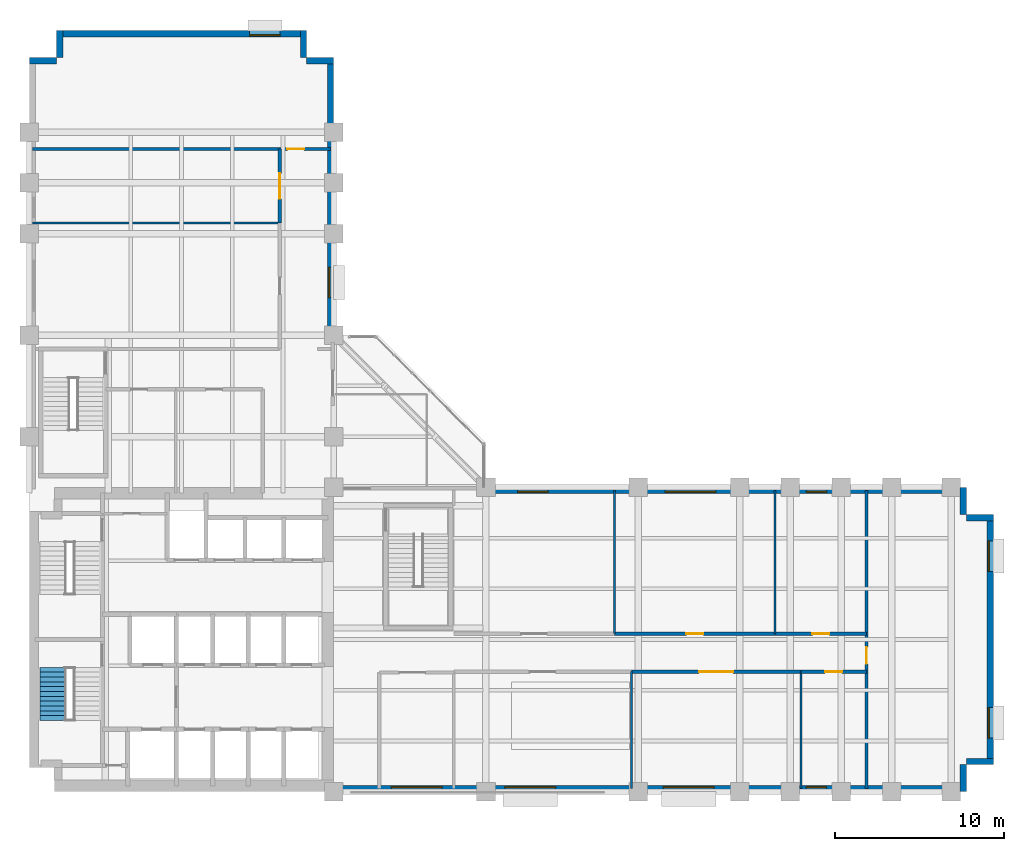
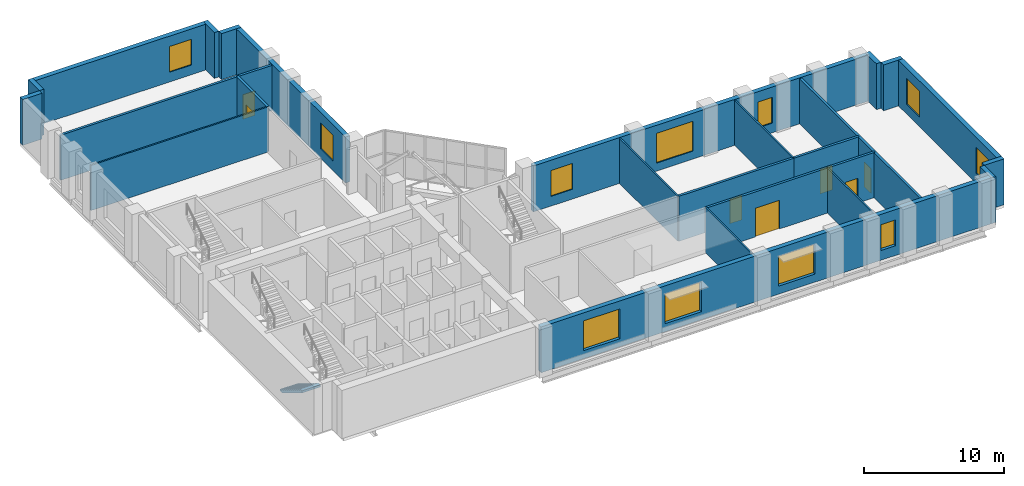
# One storey, part 7 of 10: 25 walls, 11 windows, 7 doors, 1 stair flight, 18 openings, 1 element without a shape of its own.
"""IFC4 building model written with IfcOpenShell, lengths in metres."""

from ifc_helpers import new_model, si_unit, direction, frame, frame_2d, origin, place, context, subcontext, project, spatial, polyline, rectangle, outline, extrude, material, layer, layer_set, type_object, element, fill, aggregate, save


model = new_model("IFC4")

# Units and contexts
model_context = context("Model", 3, precision=1e-05, world=origin(), true_north=direction((0.0, 1.0)))
body_context = subcontext(model_context, "Body", "Model", "MODEL_VIEW")
ifc_project = project(units=[si_unit("LENGTHUNIT", "METRE"), si_unit("AREAUNIT", "SQUARE_METRE"), si_unit("VOLUMEUNIT", "CUBIC_METRE"), si_unit("PLANEANGLEUNIT", "RADIAN"), si_unit("MASSUNIT", "GRAM", prefix="KILO")], contexts=[model_context])

# Site, building, storey
site_placement = place(None, origin())
site = spatial("IfcSite", under=ifc_project, at=site_placement, CompositionType="ELEMENT")
building_placement = place(site_placement, origin())
building = spatial("IfcBuilding", under=site, at=building_placement, Name="Mawjdan Bourse Tower", CompositionType="ELEMENT")
storey_placement = place(building_placement, frame((0.0, 0.0, 89.10009765625)))
storey = spatial("IfcBuildingStorey", under=building, at=storey_placement, Name="L20", CompositionType="ELEMENT", Elevation=89.10009765625)

# Wall, openings, windows
ifc_material_1 = material(Name="Brick Masonry Terracotta Red", Category="masonry")
ifc_layer_1 = layer(ifc_material_1, 0.3798828125)
ifc_layer_set_1 = layer_set([ifc_layer_1], Name="Brick Masonry Terracotta Red")
wall_type_1 = type_object("IfcWallType", Name="WL-BRK-RED-380", PredefinedType="STANDARD", material=ifc_layer_set_1)
wall_1_placement = place(storey_placement, frame((23.89990234375, 3.18994140625, 0.0), z_axis=(0.0, 0.0, 1.0), x_axis=(1.0, 0.0, 0.0)))
wall_1 = element("IfcWall", 1, at=wall_1_placement, inside=storey, type_object=wall_type_1, Name="L20 Exterior Brick Wall 1", PredefinedType="STANDARD", context=body_context, shape_type="SweptSolid", body=[
    extrude(rectangle(XDim=37.5, YDim=0.3798828125, at=frame_2d((18.75, 0.0))), origin(), (0.0, 0.0, 1.0), 4.0),
])
opening_1_placement = place(wall_1_placement, frame((10.21875, 0.0, 0.699951171875)))
opening_1 = element("IfcOpeningElement", 2, at=opening_1_placement, cuts=wall_1, Name="Opening W-L20-01", PredefinedType="OPENING", context=body_context, shape_type="SweptSolid", body=[
    extrude(rectangle(XDim=3.0, YDim=2.60009765625, at=frame_2d((1.5, 1.300048828125))), frame((0.0, 0.199951171875, 0.0), z_axis=(0.0, -1.0, 0.0), x_axis=(1.0, 0.0, 0.0)), (0.0, 0.0, 1.0), 0.39990234375),
])
opening_2_placement = place(wall_1_placement, frame((19.59375, 0.0, 0.699951171875)))
opening_2 = element("IfcOpeningElement", 3, at=opening_2_placement, cuts=wall_1, Name="Opening W-L20-02", PredefinedType="OPENING", context=body_context, shape_type="SweptSolid", body=[
    extrude(rectangle(XDim=3.0, YDim=2.60009765625, at=frame_2d((1.5, 1.300048828125))), frame((0.0, 0.199951171875, 0.0), z_axis=(0.0, -1.0, 0.0), x_axis=(1.0, 0.0, 0.0)), (0.0, 0.0, 1.0), 0.39990234375),
])
opening_3_placement = place(wall_1_placement, frame((3.513916015625, 0.0, 0.699951171875)))
opening_3 = element("IfcOpeningElement", 4, at=opening_3_placement, cuts=wall_1, Name="Opening W-L20-09", PredefinedType="OPENING", context=body_context, shape_type="SweptSolid", body=[
    extrude(rectangle(XDim=3.0, YDim=2.60009765625, at=frame_2d((1.5, 1.300048828125))), frame((0.0, 0.199951171875, 0.0), z_axis=(0.0, -1.0, 0.0), x_axis=(1.0, 0.0, 0.0)), (0.0, 0.0, 1.0), 0.39990234375),
])
opening_4_placement = place(wall_1_placement, frame((28.0244140625, 0.0, 0.85009765625)))
opening_4 = element("IfcOpeningElement", 5, at=opening_4_placement, cuts=wall_1, Name="Opening W-L20-10", PredefinedType="OPENING", context=body_context, shape_type="SweptSolid", body=[
    extrude(rectangle(XDim=1.199951171875, YDim=2.25, at=frame_2d((0.60009765625, 1.125))), frame((0.0, 0.199951171875, 0.0), z_axis=(0.0, -1.0, 0.0), x_axis=(1.0, 0.0, 0.0)), (0.0, 0.0, 1.0), 0.39990234375),
])
ifc_material_2 = material(Name="Solar-Control Clear Double Glazing", Category="glass")
window_type_1 = type_object("IfcWindowType", Name="WN-SKY-3000", PartitioningType="SINGLE_PANEL", PredefinedType="WINDOW", material=ifc_material_2)
window_1_placement = place(opening_1_placement, origin())
window_1 = element("IfcWindow", 6, at=window_1_placement, inside=storey, type_object=window_type_1, Name="L20 Deep-Set Masonry Window W-L20-01", OverallHeight=2.60009765625, OverallWidth=3.0, PartitioningType="SINGLE_PANEL", PredefinedType="WINDOW", context=body_context, shape_type="SweptSolid", body=[
    extrude(rectangle(XDim=3.0, YDim=2.60009765625, at=frame_2d((1.5, 1.300048828125))), frame((0.0, 0.110107421875, 0.0), z_axis=(0.0, -1.0, 0.0), x_axis=(1.0, 0.0, 0.0)), (0.0, 0.0, 1.0), 0.06005859375),
])
fill(opening_1, window_1)
window_2_placement = place(opening_2_placement, origin())
window_2 = element("IfcWindow", 7, at=window_2_placement, inside=storey, type_object=window_type_1, Name="L20 Deep-Set Masonry Window W-L20-02", OverallHeight=2.60009765625, OverallWidth=3.0, PartitioningType="SINGLE_PANEL", PredefinedType="WINDOW", context=body_context, shape_type="SweptSolid", body=[
    extrude(rectangle(XDim=3.0, YDim=2.60009765625, at=frame_2d((1.5, 1.300048828125))), frame((0.0, 0.110107421875, 0.0), z_axis=(0.0, -1.0, 0.0), x_axis=(1.0, 0.0, 0.0)), (0.0, 0.0, 1.0), 0.06005859375),
])
fill(opening_2, window_2)
window_3_placement = place(opening_3_placement, origin())
window_3 = element("IfcWindow", 8, at=window_3_placement, inside=storey, type_object=window_type_1, Name="L20 Deep-Set Masonry Window W-L20-09", OverallHeight=2.60009765625, OverallWidth=3.0, PartitioningType="SINGLE_PANEL", PredefinedType="WINDOW", context=body_context, shape_type="SweptSolid", body=[
    extrude(rectangle(XDim=3.0, YDim=2.60009765625, at=frame_2d((1.5, 1.300048828125))), frame((0.0, 0.110107421875, 0.0), z_axis=(0.0, -1.0, 0.0), x_axis=(1.0, 0.0, 0.0)), (0.0, 0.0, 1.0), 0.06005859375),
])
fill(opening_3, window_3)
window_type_2 = type_object("IfcWindowType", Name="WN-Z2-1200", PartitioningType="SINGLE_PANEL", PredefinedType="WINDOW", material=ifc_material_2)
window_4_placement = place(opening_4_placement, origin())
window_4 = element("IfcWindow", 9, at=window_4_placement, inside=storey, type_object=window_type_2, Name="L20 Deep-Set Masonry Window W-L20-10", OverallHeight=2.25, OverallWidth=1.199951171875, PartitioningType="SINGLE_PANEL", PredefinedType="WINDOW", context=body_context, shape_type="SweptSolid", body=[
    extrude(rectangle(XDim=1.199951171875, YDim=2.25, at=frame_2d((0.60009765625, 1.125))), frame((0.0, 0.110107421875, 0.0), z_axis=(0.0, -1.0, 0.0), x_axis=(1.0, 0.0, 0.0)), (0.0, 0.0, 1.0), 0.06005859375),
])
fill(opening_4, window_4)

# Walls
for number, where, z_axis, x_axis, name in (
    (10, (61.2099609375, 3.0, 0.0), (0.0, 0.0, 1.0), (0.0, 1.0, 0.0), "L20 Exterior Brick Wall 2"),
    (11, (61.39990234375, 4.7900390625, 0.0), (0.0, 0.0, 1.0), (1.0, 0.0, 0.0), "L20 Exterior Brick Wall 3"),
):
    element("IfcWall", number, at=place(storey_placement, frame(where, z_axis=z_axis, x_axis=x_axis)), inside=storey, type_object=wall_type_1, Name=name, PredefinedType="STANDARD", context=body_context, shape_type="SweptSolid", body=[
        extrude(rectangle(XDim=1.60009765625, YDim=0.3798828125, at=frame_2d((0.800048828125, 0.0))), origin(), (0.0, 0.0, 1.0), 4.0),
    ])

# Wall, openings, windows
wall_2_placement = place(storey_placement, frame((62.81005859375, 4.60009765625, 0.0), z_axis=(0.0, 0.0, 1.0), x_axis=(0.0, 1.0, 0.0)))
wall_2 = element("IfcWall", 12, at=wall_2_placement, inside=storey, type_object=wall_type_1, Name="L20 Exterior Brick Wall 4", PredefinedType="STANDARD", context=body_context, shape_type="SweptSolid", body=[
    extrude(rectangle(XDim=14.7998046875, YDim=0.3798828125, at=frame_2d((7.39990234375, 0.0))), origin(), (0.0, 0.0, 1.0), 4.0),
])
opening_5_placement = place(wall_2_placement, frame((1.566650390625, 0.0, 0.85009765625)))
opening_5 = element("IfcOpeningElement", 13, at=opening_5_placement, cuts=wall_2, Name="Opening W-L20-03", PredefinedType="OPENING", context=body_context, shape_type="SweptSolid", body=[
    extrude(rectangle(XDim=1.800048828125, YDim=2.25, at=frame_2d((0.89990234375, 1.125))), frame((0.0, 0.199951171875, 0.0), z_axis=(0.0, -1.0, 0.0), x_axis=(1.0, 0.0, 0.0)), (0.0, 0.0, 1.0), 0.39990234375),
])
opening_6_placement = place(wall_2_placement, frame((11.433349609375, 0.0, 0.85009765625)))
opening_6 = element("IfcOpeningElement", 14, at=opening_6_placement, cuts=wall_2, Name="Opening W-L20-04", PredefinedType="OPENING", context=body_context, shape_type="SweptSolid", body=[
    extrude(rectangle(XDim=1.800048828125, YDim=2.25, at=frame_2d((0.89990234375, 1.125))), frame((0.0, 0.199951171875, 0.0), z_axis=(0.0, -1.0, 0.0), x_axis=(1.0, 0.0, 0.0)), (0.0, 0.0, 1.0), 0.39990234375),
])
window_type_3 = type_object("IfcWindowType", Name="WN-Z2-1800", PartitioningType="SINGLE_PANEL", PredefinedType="WINDOW", material=ifc_material_2)
window_5_placement = place(opening_5_placement, origin())
window_5 = element("IfcWindow", 15, at=window_5_placement, inside=storey, type_object=window_type_3, Name="L20 Deep-Set Masonry Window W-L20-03", OverallHeight=2.25, OverallWidth=1.800048828125, PartitioningType="SINGLE_PANEL", PredefinedType="WINDOW", context=body_context, shape_type="SweptSolid", body=[
    extrude(rectangle(XDim=1.800048828125, YDim=2.25, at=frame_2d((0.89990234375, 1.125))), frame((0.0, 0.110107421875, 0.0), z_axis=(0.0, -1.0, 0.0), x_axis=(1.0, 0.0, 0.0)), (0.0, 0.0, 1.0), 0.06005859375),
])
fill(opening_5, window_5)
window_6_placement = place(opening_6_placement, origin())
window_6 = element("IfcWindow", 16, at=window_6_placement, inside=storey, type_object=window_type_3, Name="L20 Deep-Set Masonry Window W-L20-04", OverallHeight=2.25, OverallWidth=1.800048828125, PartitioningType="SINGLE_PANEL", PredefinedType="WINDOW", context=body_context, shape_type="SweptSolid", body=[
    extrude(rectangle(XDim=1.800048828125, YDim=2.25, at=frame_2d((0.89990234375, 1.125))), frame((0.0, 0.110107421875, 0.0), z_axis=(0.0, -1.0, 0.0), x_axis=(1.0, 0.0, 0.0)), (0.0, 0.0, 1.0), 0.06005859375),
])
fill(opening_6, window_6)

# Walls
for number, where, z_axis, x_axis, name in (
    (17, (63.0, 19.2099609375, 0.0), (0.0, 0.0, 1.0), (-1.0, 0.0, 0.0), "L20 Exterior Brick Wall 5"),
    (18, (61.2099609375, 19.39990234375, 0.0), (0.0, 0.0, 1.0), (0.0, 1.0, 0.0), "L20 Exterior Brick Wall 6"),
):
    element("IfcWall", number, at=place(storey_placement, frame(where, z_axis=z_axis, x_axis=x_axis)), inside=storey, type_object=wall_type_1, Name=name, PredefinedType="STANDARD", context=body_context, shape_type="SweptSolid", body=[
        extrude(rectangle(XDim=1.60009765625, YDim=0.3798828125, at=frame_2d((0.800048828125, 0.0))), origin(), (0.0, 0.0, 1.0), 4.0),
    ])

# Wall, openings, windows
wall_3_placement = place(storey_placement, frame((61.39990234375, 20.81005859375, 0.0), z_axis=(0.0, 0.0, 1.0), x_axis=(-1.0, 0.0, 0.0)))
wall_3 = element("IfcWall", 19, at=wall_3_placement, inside=storey, type_object=wall_type_1, Name="L20 Exterior Brick Wall 7", PredefinedType="STANDARD", context=body_context, shape_type="SweptSolid", body=[
    extrude(rectangle(XDim=27.949951171875, YDim=0.3798828125, at=frame_2d((13.97509765625, 0.0))), origin(), (0.0, 0.0, 1.0), 4.0),
])
opening_7_placement = place(wall_3_placement, frame((14.80419921875, 0.0, 0.699951171875)))
opening_7 = element("IfcOpeningElement", 20, at=opening_7_placement, cuts=wall_3, Name="Opening W-L20-05", PredefinedType="OPENING", context=body_context, shape_type="SweptSolid", body=[
    extrude(rectangle(XDim=3.0, YDim=2.60009765625, at=frame_2d((1.5, 1.300048828125))), frame((0.0, 0.199951171875, 0.0), z_axis=(0.0, -1.0, 0.0), x_axis=(1.0, 0.0, 0.0)), (0.0, 0.0, 1.0), 0.39990234375),
])
opening_8_placement = place(wall_3_placement, frame((24.720703125, 0.0, 0.85009765625)))
opening_8 = element("IfcOpeningElement", 21, at=opening_8_placement, cuts=wall_3, Name="Opening W-L20-06", PredefinedType="OPENING", context=body_context, shape_type="SweptSolid", body=[
    extrude(rectangle(XDim=1.800048828125, YDim=2.25, at=frame_2d((0.89990234375, 1.125))), frame((0.0, 0.199951171875, 0.0), z_axis=(0.0, -1.0, 0.0), x_axis=(1.0, 0.0, 0.0)), (0.0, 0.0, 1.0), 0.39990234375),
])
opening_9_placement = place(wall_3_placement, frame((8.25439453125, 0.0, 0.85009765625)))
opening_9 = element("IfcOpeningElement", 22, at=opening_9_placement, cuts=wall_3, Name="Opening W-L20-11", PredefinedType="OPENING", context=body_context, shape_type="SweptSolid", body=[
    extrude(rectangle(XDim=1.199951171875, YDim=2.25, at=frame_2d((0.60009765625, 1.125))), frame((0.0, 0.199951171875, 0.0), z_axis=(0.0, -1.0, 0.0), x_axis=(1.0, 0.0, 0.0)), (0.0, 0.0, 1.0), 0.39990234375),
])
window_7_placement = place(opening_7_placement, origin())
window_7 = element("IfcWindow", 23, at=window_7_placement, inside=storey, type_object=window_type_1, Name="L20 Deep-Set Masonry Window W-L20-05", OverallHeight=2.60009765625, OverallWidth=3.0, PartitioningType="SINGLE_PANEL", PredefinedType="WINDOW", context=body_context, shape_type="SweptSolid", body=[
    extrude(rectangle(XDim=3.0, YDim=2.60009765625, at=frame_2d((1.5, 1.300048828125))), frame((0.0, 0.110107421875, 0.0), z_axis=(0.0, -1.0, 0.0), x_axis=(1.0, 0.0, 0.0)), (0.0, 0.0, 1.0), 0.06005859375),
])
fill(opening_7, window_7)
window_8_placement = place(opening_9_placement, origin())
window_8 = element("IfcWindow", 24, at=window_8_placement, inside=storey, type_object=window_type_2, Name="L20 Deep-Set Masonry Window W-L20-11", OverallHeight=2.25, OverallWidth=1.199951171875, PartitioningType="SINGLE_PANEL", PredefinedType="WINDOW", context=body_context, shape_type="SweptSolid", body=[
    extrude(rectangle(XDim=1.199951171875, YDim=2.25, at=frame_2d((0.60009765625, 1.125))), frame((0.0, 0.110107421875, 0.0), z_axis=(0.0, -1.0, 0.0), x_axis=(1.0, 0.0, 0.0)), (0.0, 0.0, 1.0), 0.06005859375),
])
fill(opening_9, window_8)
window_9_placement = place(opening_8_placement, origin())
window_9 = element("IfcWindow", 25, at=window_9_placement, inside=storey, type_object=window_type_3, Name="L20 Deep-Set Masonry Window W-L20-06", OverallHeight=2.25, OverallWidth=1.800048828125, PartitioningType="SINGLE_PANEL", PredefinedType="WINDOW", context=body_context, shape_type="SweptSolid", body=[
    extrude(rectangle(XDim=1.800048828125, YDim=2.25, at=frame_2d((0.89990234375, 1.125))), frame((0.0, 0.110107421875, 0.0), z_axis=(0.0, -1.0, 0.0), x_axis=(1.0, 0.0, 0.0)), (0.0, 0.0, 1.0), 0.06005859375),
])
fill(opening_8, window_9)

# Wall, opening, window
wall_4_placement = place(storey_placement, frame((23.81005859375, 30.449951171875, 0.0), z_axis=(0.0, 0.0, 1.0), x_axis=(0.0, 1.0, 0.0)))
wall_4 = element("IfcWall", 26, at=wall_4_placement, inside=storey, type_object=wall_type_1, Name="L20 Exterior Brick Wall 8", PredefinedType="STANDARD", context=body_context, shape_type="SweptSolid", body=[
    extrude(rectangle(XDim=15.949951171875, YDim=0.3798828125, at=frame_2d((7.97509765625, 0.0))), origin(), (0.0, 0.0, 1.0), 4.0),
])
opening_10_placement = place(wall_4_placement, frame((1.75830078125, 0.0, 0.85009765625)))
opening_10 = element("IfcOpeningElement", 27, at=opening_10_placement, cuts=wall_4, Name="Opening W-L20-07", PredefinedType="OPENING", context=body_context, shape_type="SweptSolid", body=[
    extrude(rectangle(XDim=1.800048828125, YDim=2.25, at=frame_2d((0.89990234375, 1.125))), frame((0.0, 0.199951171875, 0.0), z_axis=(0.0, -1.0, 0.0), x_axis=(1.0, 0.0, 0.0)), (0.0, 0.0, 1.0), 0.39990234375),
])
window_10_placement = place(opening_10_placement, origin())
window_10 = element("IfcWindow", 28, at=window_10_placement, inside=storey, type_object=window_type_3, Name="L20 Deep-Set Masonry Window W-L20-07", OverallHeight=2.25, OverallWidth=1.800048828125, PartitioningType="SINGLE_PANEL", PredefinedType="WINDOW", context=body_context, shape_type="SweptSolid", body=[
    extrude(rectangle(XDim=1.800048828125, YDim=2.25, at=frame_2d((0.89990234375, 1.125))), frame((0.0, 0.110107421875, 0.0), z_axis=(0.0, -1.0, 0.0), x_axis=(1.0, 0.0, 0.0)), (0.0, 0.0, 1.0), 0.06005859375),
])
fill(opening_10, window_10)

# Walls
for number, where, z_axis, x_axis, name in (
    (29, (24.0, 46.2099609375, 0.0), (0.0, 0.0, 1.0), (-1.0, 0.0, 0.0), "L20 Exterior Brick Wall 9"),
    (30, (22.2099609375, 46.39990234375, 0.0), (0.0, 0.0, 1.0), (0.0, 1.0, 0.0), "L20 Exterior Brick Wall 10"),
):
    element("IfcWall", number, at=place(storey_placement, frame(where, z_axis=z_axis, x_axis=x_axis)), inside=storey, type_object=wall_type_1, Name=name, PredefinedType="STANDARD", context=body_context, shape_type="SweptSolid", body=[
        extrude(rectangle(XDim=1.60009765625, YDim=0.3798828125, at=frame_2d((0.800048828125, 0.0))), origin(), (0.0, 0.0, 1.0), 4.0),
    ])

# Wall, opening, window
wall_5_placement = place(storey_placement, frame((22.39990234375, 47.81005859375, 0.0), z_axis=(0.0, 0.0, 1.0), x_axis=(-1.0, 0.0, 0.0)))
wall_5 = element("IfcWall", 31, at=wall_5_placement, inside=storey, type_object=wall_type_1, Name="L20 Exterior Brick Wall 11", PredefinedType="STANDARD", context=body_context, shape_type="SweptSolid", body=[
    extrude(rectangle(XDim=14.7998046875, YDim=0.3798828125, at=frame_2d((7.39990234375, 0.0))), origin(), (0.0, 0.0, 1.0), 4.0),
])
opening_11_placement = place(wall_5_placement, frame((1.566650390625, 0.0, 0.85009765625)))
opening_11 = element("IfcOpeningElement", 32, at=opening_11_placement, cuts=wall_5, Name="Opening W-L20-08", PredefinedType="OPENING", context=body_context, shape_type="SweptSolid", body=[
    extrude(rectangle(XDim=1.800048828125, YDim=2.25, at=frame_2d((0.89990234375, 1.125))), frame((0.0, 0.199951171875, 0.0), z_axis=(0.0, -1.0, 0.0), x_axis=(1.0, 0.0, 0.0)), (0.0, 0.0, 1.0), 0.39990234375),
])
window_11_placement = place(opening_11_placement, origin())
window_11 = element("IfcWindow", 33, at=window_11_placement, inside=storey, type_object=window_type_3, Name="L20 Deep-Set Masonry Window W-L20-08", OverallHeight=2.25, OverallWidth=1.800048828125, PartitioningType="SINGLE_PANEL", PredefinedType="WINDOW", context=body_context, shape_type="SweptSolid", body=[
    extrude(rectangle(XDim=1.800048828125, YDim=2.25, at=frame_2d((0.89990234375, 1.125))), frame((0.0, 0.110107421875, 0.0), z_axis=(0.0, -1.0, 0.0), x_axis=(1.0, 0.0, 0.0)), (0.0, 0.0, 1.0), 0.06005859375),
])
fill(opening_11, window_11)

# Walls
for number, where, z_axis, x_axis, name in (
    (34, (7.7900390625, 48.0, 0.0), (0.0, 0.0, 1.0), (0.0, -1.0, 0.0), "L20 Exterior Brick Wall 12"),
    (35, (7.60009765625, 46.2099609375, 0.0), (0.0, 0.0, 1.0), (-1.0, 0.0, 0.0), "L20 Exterior Brick Wall 13"),
):
    element("IfcWall", number, at=place(storey_placement, frame(where, z_axis=z_axis, x_axis=x_axis)), inside=storey, type_object=wall_type_1, Name=name, PredefinedType="STANDARD", context=body_context, shape_type="SweptSolid", body=[
        extrude(rectangle(XDim=1.60009765625, YDim=0.3798828125, at=frame_2d((0.800048828125, 0.0))), origin(), (0.0, 0.0, 1.0), 4.0),
    ])

# Wall, opening, door
ifc_material_3 = material(Name="Gypsum Fireboard Assembly")
ifc_layer_2 = layer(ifc_material_3, 0.199951171875)
ifc_layer_set_2 = layer_set([ifc_layer_2], Name="Gypsum Fireboard Assembly")
wall_type_2 = type_object("IfcWallType", Name="WL-CMP-200", PredefinedType="PARTITIONING", material=ifc_layer_set_2)
wall_6_placement = place(storey_placement, frame((41.60009765625, 10.10009765625, 0.0), z_axis=(0.0, 0.0, 1.0), x_axis=(1.0, 0.0, 0.0)))
wall_6 = element("IfcWall", 36, at=wall_6_placement, inside=storey, type_object=wall_type_2, Name="L20 Brokerage Reception Hall Corridor Wall", PredefinedType="PARTITIONING", context=body_context, shape_type="SweptSolid", body=[
    extrude(rectangle(XDim=10.02001953125, YDim=0.199951171875, at=frame_2d((5.010009765625, 0.0))), origin(), (0.0, 0.0, 1.0), 3.929931640625),
])
opening_12_placement = place(wall_6_placement, frame((4.010009765625, 0.0, 0.0)))
opening_12 = element("IfcOpeningElement", 37, at=opening_12_placement, cuts=wall_6, Name="Opening D-L20-28", PredefinedType="OPENING", context=body_context, shape_type="SweptSolid", body=[
    extrude(rectangle(XDim=2.0, YDim=2.5, at=frame_2d((1.0, 1.25))), frame((0.0, 0.10986328125, 0.0), z_axis=(0.0, -1.0, 0.0), x_axis=(1.0, 0.0, 0.0)), (0.0, 0.0, 1.0), 0.219970703125),
])
ifc_material_4 = material(Name="Acoustic Veneered Timber", Category="wood")
door_type_1 = type_object("IfcDoorType", Name="DR-ASM-2000", OperationType="DOUBLE_DOOR_SINGLE_SWING", PredefinedType="DOOR", material=ifc_material_4)
door_1_placement = place(opening_12_placement, origin())
door_1 = element("IfcDoor", 38, at=door_1_placement, inside=storey, type_object=door_type_1, Name="L20 Brokerage Reception Hall Door D-L20-28", OperationType="DOUBLE_DOOR_SINGLE_SWING", OverallHeight=2.5, OverallWidth=2.0, PredefinedType="DOOR", context=body_context, shape_type="SweptSolid", body=[
    extrude(rectangle(XDim=2.0, YDim=2.5, at=frame_2d((1.0, 1.25))), frame((0.0, 0.02490234375, 0.0), z_axis=(0.0, -1.0, 0.0), x_axis=(1.0, 0.0, 0.0)), (0.0, 0.0, 1.0), 0.050048828125),
])
fill(opening_12, door_1)

wall_7_placement = place(storey_placement, frame((51.6201171875, 10.10009765625, 0.0), z_axis=(0.0, 0.0, 1.0), x_axis=(1.0, 0.0, 0.0)))
wall_7 = element("IfcWall", 39, at=wall_7_placement, inside=storey, type_object=wall_type_2, Name="L20 Conference Room Corridor Wall", PredefinedType="PARTITIONING", context=body_context, shape_type="SweptSolid", body=[
    extrude(rectangle(XDim=3.8798828125, YDim=0.199951171875, at=frame_2d((1.93994140625, 0.0))), origin(), (0.0, 0.0, 1.0), 3.929931640625),
])
opening_13_placement = place(wall_7_placement, frame((1.43994140625, 0.0, 0.0)))
opening_13 = element("IfcOpeningElement", 40, at=opening_13_placement, cuts=wall_7, Name="Opening D-L20-29", PredefinedType="OPENING", context=body_context, shape_type="SweptSolid", body=[
    extrude(rectangle(XDim=1.0, YDim=2.14990234375, at=frame_2d((0.5, 1.074951171875))), frame((0.0, 0.10986328125, 0.0), z_axis=(0.0, -1.0, 0.0), x_axis=(1.0, 0.0, 0.0)), (0.0, 0.0, 1.0), 0.219970703125),
])
ifc_material_5 = material(Name="Hardwood Acoustic Leaf", Category="wood")
door_type_2 = type_object("IfcDoorType", Name="DR-OFC-1000", OperationType="NOTDEFINED", PredefinedType="DOOR", material=ifc_material_5)
door_2_placement = place(opening_13_placement, origin())
door_2 = element("IfcDoor", 41, at=door_2_placement, inside=storey, type_object=door_type_2, Name="L20 Conference Room Door D-L20-29", OperationType="SINGLE_SWING_RIGHT", OverallHeight=2.14990234375, OverallWidth=1.0, PredefinedType="DOOR", context=body_context, shape_type="SweptSolid", body=[
    extrude(rectangle(XDim=1.0, YDim=2.14990234375, at=frame_2d((0.5, 1.074951171875))), frame((0.0, 0.02490234375, 0.0), z_axis=(0.0, -1.0, 0.0), x_axis=(1.0, 0.0, 0.0)), (0.0, 0.0, 1.0), 0.050048828125),
])
fill(opening_13, door_2)

wall_8_placement = place(storey_placement, frame((40.60009765625, 12.35009765625, 0.0), z_axis=(0.0, 0.0, 1.0), x_axis=(1.0, 0.0, 0.0)))
wall_8 = element("IfcWall", 42, at=wall_8_placement, inside=storey, type_object=wall_type_2, Name="L20 Executive Office Corridor Wall", PredefinedType="PARTITIONING", context=body_context, shape_type="SweptSolid", body=[
    extrude(rectangle(XDim=9.5, YDim=0.199951171875, at=frame_2d((4.75, 0.0))), origin(), (0.0, 0.0, 1.0), 3.929931640625),
])
opening_14_placement = place(wall_8_placement, frame((4.25, 0.0, 0.0)))
opening_14 = element("IfcOpeningElement", 43, at=opening_14_placement, cuts=wall_8, Name="Opening D-L20-31", PredefinedType="OPENING", context=body_context, shape_type="SweptSolid", body=[
    extrude(rectangle(XDim=1.0, YDim=2.14990234375, at=frame_2d((0.5, 1.074951171875))), frame((0.0, 0.10986328125, 0.0), z_axis=(0.0, -1.0, 0.0), x_axis=(1.0, 0.0, 0.0)), (0.0, 0.0, 1.0), 0.219970703125),
])
door_3_placement = place(opening_14_placement, origin())
door_3 = element("IfcDoor", 44, at=door_3_placement, inside=storey, type_object=door_type_2, Name="L20 Executive Office Door D-L20-31", OperationType="SINGLE_SWING_LEFT", OverallHeight=2.14990234375, OverallWidth=1.0, PredefinedType="DOOR", context=body_context, shape_type="SweptSolid", body=[
    extrude(rectangle(XDim=1.0, YDim=2.14990234375, at=frame_2d((0.5, 1.074951171875))), frame((0.0, 0.02490234375, 0.0), z_axis=(0.0, -1.0, 0.0), x_axis=(1.0, 0.0, 0.0)), (0.0, 0.0, 1.0), 0.050048828125),
])
fill(opening_14, door_3)

wall_9_placement = place(storey_placement, frame((50.10009765625, 12.35009765625, 0.0), z_axis=(0.0, 0.0, 1.0), x_axis=(1.0, 0.0, 0.0)))
wall_9 = element("IfcWall", 45, at=wall_9_placement, inside=storey, type_object=wall_type_2, Name="L20 Client Lounge Corridor Wall", PredefinedType="PARTITIONING", context=body_context, shape_type="SweptSolid", body=[
    extrude(rectangle(XDim=5.39990234375, YDim=0.199951171875, at=frame_2d((2.699951171875, 0.0))), origin(), (0.0, 0.0, 1.0), 3.929931640625),
])
opening_15_placement = place(wall_9_placement, frame((2.199951171875, 0.0, 0.0)))
opening_15 = element("IfcOpeningElement", 46, at=opening_15_placement, cuts=wall_9, Name="Opening D-L20-32", PredefinedType="OPENING", context=body_context, shape_type="SweptSolid", body=[
    extrude(rectangle(XDim=1.0, YDim=2.14990234375, at=frame_2d((0.5, 1.074951171875))), frame((0.0, 0.10986328125, 0.0), z_axis=(0.0, -1.0, 0.0), x_axis=(1.0, 0.0, 0.0)), (0.0, 0.0, 1.0), 0.219970703125),
])
door_4_placement = place(opening_15_placement, origin())
door_4 = element("IfcDoor", 47, at=door_4_placement, inside=storey, type_object=door_type_2, Name="L20 Client Lounge Door D-L20-32", OperationType="SINGLE_SWING_RIGHT", OverallHeight=2.14990234375, OverallWidth=1.0, PredefinedType="DOOR", context=body_context, shape_type="SweptSolid", body=[
    extrude(rectangle(XDim=1.0, YDim=2.14990234375, at=frame_2d((0.5, 1.074951171875))), frame((0.0, 0.02490234375, 0.0), z_axis=(0.0, -1.0, 0.0), x_axis=(1.0, 0.0, 0.0)), (0.0, 0.0, 1.0), 0.050048828125),
])
fill(opening_15, door_4)

wall_10_placement = place(storey_placement, frame((55.5, 3.179931640625, 0.0), z_axis=(0.0, 0.0, 1.0), x_axis=(0.0, 1.0, 0.0)))
wall_10 = element("IfcWall", 48, at=wall_10_placement, inside=storey, type_object=wall_type_2, Name="L20 East Tip Full Cross Wall", PredefinedType="PARTITIONING", context=body_context, shape_type="SweptSolid", body=[
    extrude(rectangle(XDim=17.64013671875, YDim=0.199951171875, at=frame_2d((8.820068359375, 0.0))), origin(), (0.0, 0.0, 1.0), 3.929931640625),
])
opening_16_placement = place(wall_10_placement, frame((7.375, 0.0, 0.0)))
opening_16 = element("IfcOpeningElement", 49, at=opening_16_placement, cuts=wall_10, Name="Opening D-L20-33", PredefinedType="OPENING", context=body_context, shape_type="SweptSolid", body=[
    extrude(rectangle(XDim=1.0, YDim=2.14990234375, at=frame_2d((0.5, 1.074951171875))), frame((0.0, 0.10986328125, 0.0), z_axis=(0.0, -1.0, 0.0), x_axis=(1.0, 0.0, 0.0)), (0.0, 0.0, 1.0), 0.219970703125),
])
door_5_placement = place(opening_16_placement, origin())
door_5 = element("IfcDoor", 50, at=door_5_placement, inside=storey, type_object=door_type_2, Name="L20 East Tip Hall Door D-L20-33", OperationType="SINGLE_SWING_LEFT", OverallHeight=2.14990234375, OverallWidth=1.0, PredefinedType="DOOR", context=body_context, shape_type="SweptSolid", body=[
    extrude(rectangle(XDim=1.0, YDim=2.14990234375, at=frame_2d((0.5, 1.074951171875))), frame((0.0, 0.02490234375, 0.0), z_axis=(0.0, -1.0, 0.0), x_axis=(1.0, 0.0, 0.0)), (0.0, 0.0, 1.0), 0.050048828125),
])
fill(opening_16, door_5)

wall_11_placement = place(storey_placement, frame((20.800048828125, 36.6201171875, 0.0), z_axis=(0.0, 0.0, 1.0), x_axis=(0.0, 1.0, 0.0)))
wall_11 = element("IfcWall", 51, at=wall_11_placement, inside=storey, type_object=wall_type_2, Name="L20 Conference Room Corridor Wall", PredefinedType="PARTITIONING", context=body_context, shape_type="SweptSolid", body=[
    extrude(rectangle(XDim=4.3798828125, YDim=0.199951171875, at=frame_2d((2.18994140625, 0.0))), origin(), (0.0, 0.0, 1.0), 3.929931640625),
])
opening_17_placement = place(wall_11_placement, frame((1.43994140625, 0.0, 0.0)))
opening_17 = element("IfcOpeningElement", 52, at=opening_17_placement, cuts=wall_11, Name="Opening D-L20-37", PredefinedType="OPENING", context=body_context, shape_type="SweptSolid", body=[
    extrude(rectangle(XDim=1.5, YDim=2.300048828125, at=frame_2d((0.75, 1.14990234375))), frame((0.0, 0.10986328125, 0.0), z_axis=(0.0, -1.0, 0.0), x_axis=(1.0, 0.0, 0.0)), (0.0, 0.0, 1.0), 0.219970703125),
])
ifc_material_6 = material(Name="Acoustic Glazed Timber", Category="wood")
door_type_3 = type_object("IfcDoorType", Name="DR-CNF-1500", OperationType="DOUBLE_DOOR_SINGLE_SWING", PredefinedType="DOOR", material=ifc_material_6)
door_6_placement = place(opening_17_placement, origin())
door_6 = element("IfcDoor", 53, at=door_6_placement, inside=storey, type_object=door_type_3, Name="L20 Conference Room Door D-L20-37", OperationType="DOUBLE_DOOR_SINGLE_SWING", OverallHeight=2.300048828125, OverallWidth=1.5, PredefinedType="DOOR", context=body_context, shape_type="SweptSolid", body=[
    extrude(rectangle(XDim=1.5, YDim=2.300048828125, at=frame_2d((0.75, 1.14990234375))), frame((0.0, 0.02490234375, 0.0), z_axis=(0.0, -1.0, 0.0), x_axis=(1.0, 0.0, 0.0)), (0.0, 0.0, 1.0), 0.050048828125),
])
fill(opening_17, door_6)

wall_12_placement = place(storey_placement, frame((6.179931640625, 41.0, 0.0), z_axis=(0.0, 0.0, 1.0), x_axis=(1.0, 0.0, 0.0)))
wall_12 = element("IfcWall", 54, at=wall_12_placement, inside=storey, type_object=wall_type_2, Name="L20 North Tip Full Cross Wall", PredefinedType="PARTITIONING", context=body_context, shape_type="SweptSolid", body=[
    extrude(rectangle(XDim=17.64013671875, YDim=0.199951171875, at=frame_2d((8.820068359375, 0.0))), origin(), (0.0, 0.0, 1.0), 3.929931640625),
])
opening_18_placement = place(wall_12_placement, frame((15.074951171875, 0.0, 0.0)))
opening_18 = element("IfcOpeningElement", 55, at=opening_18_placement, cuts=wall_12, Name="Opening D-L20-38", PredefinedType="OPENING", context=body_context, shape_type="SweptSolid", body=[
    extrude(rectangle(XDim=1.0, YDim=2.14990234375, at=frame_2d((0.5, 1.074951171875))), frame((0.0, 0.10986328125, 0.0), z_axis=(0.0, -1.0, 0.0), x_axis=(1.0, 0.0, 0.0)), (0.0, 0.0, 1.0), 0.219970703125),
])
door_7_placement = place(opening_18_placement, origin())
door_7 = element("IfcDoor", 56, at=door_7_placement, inside=storey, type_object=door_type_2, Name="L20 North Tip Suite Door D-L20-38", OperationType="SINGLE_SWING_LEFT", OverallHeight=2.14990234375, OverallWidth=1.0, PredefinedType="DOOR", context=body_context, shape_type="SweptSolid", body=[
    extrude(rectangle(XDim=1.0, YDim=2.14990234375, at=frame_2d((0.5, 1.074951171875))), frame((0.0, 0.02490234375, 0.0), z_axis=(0.0, -1.0, 0.0), x_axis=(1.0, 0.0, 0.0)), (0.0, 0.0, 1.0), 0.050048828125),
])
fill(opening_18, door_7)

# Walls
ifc_material_7 = material(Name="Gypsum Partition")
ifc_layer_3 = layer(ifc_material_7, 0.125)
ifc_layer_set_3 = layer_set([ifc_layer_3], Name="Gypsum Partition")
wall_type_3 = type_object("IfcWallType", Name="WL-PRT-125", PredefinedType="PARTITIONING", material=ifc_layer_set_3)
for number, where, z_axis, x_axis, name in (
    (57, (41.60009765625, 3.179931640625, 0.0), (0.0, 0.0, 1.0), (0.0, 1.0, 0.0), "L20 Brokerage Reception Hall Partition"),
    (58, (51.6201171875, 3.179931640625, 0.0), (0.0, 0.0, 1.0), (0.0, 1.0, 0.0), "L20 Conference Room Partition"),
):
    element("IfcWall", number, at=place(storey_placement, frame(where, z_axis=z_axis, x_axis=x_axis)), inside=storey, type_object=wall_type_3, Name=name, PredefinedType="PARTITIONING", context=body_context, shape_type="SweptSolid", body=[
        extrude(rectangle(XDim=6.920166015625, YDim=0.125, at=frame_2d((3.4599609375, 0.0))), origin(), (0.0, 0.0, 1.0), 3.929931640625),
    ])
for number, where, z_axis, x_axis, name in (
    (59, (40.60009765625, 12.35009765625, 0.0), (0.0, 0.0, 1.0), (0.0, 1.0, 0.0), "L20 Executive Office Partition"),
    (60, (50.10009765625, 12.35009765625, 0.0), (0.0, 0.0, 1.0), (0.0, 1.0, 0.0), "L20 Client Lounge Partition"),
):
    element("IfcWall", number, at=place(storey_placement, frame(where, z_axis=z_axis, x_axis=x_axis)), inside=storey, type_object=wall_type_3, Name=name, PredefinedType="PARTITIONING", context=body_context, shape_type="SweptSolid", body=[
        extrude(rectangle(XDim=8.469970703125, YDim=0.125, at=frame_2d((4.23486328125, 0.0))), origin(), (0.0, 0.0, 1.0), 3.929931640625),
    ])
wall_13_placement = place(storey_placement, frame((6.179931640625, 36.6201171875, 0.0), z_axis=(0.0, 0.0, 1.0), x_axis=(1.0, 0.0, 0.0)))
element("IfcWall", 61, at=wall_13_placement, inside=storey, type_object=wall_type_3, Name="L20 Conference Room Partition", PredefinedType="PARTITIONING", context=body_context, shape_type="SweptSolid", body=[
    extrude(rectangle(XDim=14.6201171875, YDim=0.125, at=frame_2d((7.31005859375, 0.0))), origin(), (0.0, 0.0, 1.0), 3.929931640625),
])

# Stair, stair flight
ifc_material_8 = material(Name="Concrete C50/60", Category="concrete")
stair_type = type_object("IfcStairType", Name="STR-CORE-1500", PredefinedType="HALF_TURN_STAIR", material=ifc_material_8)
stair_placement = place(storey_placement, origin())
stair = element("IfcStair", 62, at=stair_placement, inside=storey, type_object=stair_type, Name="L20 Exit Stair 1 (Core South-West)", PredefinedType="HALF_TURN_STAIR")
stair_flight_type = type_object("IfcStairFlightType", Name="SFL-RC-1500", PredefinedType="STRAIGHT", material=ifc_material_8)
stair_flight_placement = place(storey_placement, frame((7.389892578125, 10.35009765625, 0.0), z_axis=(0.0, 0.0, 1.0), x_axis=(0.0, -1.0, 0.0)))
stair_flight = element("IfcStairFlight", 63, at=stair_flight_placement, type_object=stair_flight_type, Name="ST1-L20 flight 1", NumberOfRisers=12, NumberOfTreads=11, PredefinedType="STRAIGHT", RiserHeight=0.175, TreadLength=0.285, context=body_context, shape_type="SweptSolid", body=[
    extrude(outline(polyline([(0.0, 0.0), (0.0, 0.175048828125), (0.284912109375, 0.175048828125), (0.284912109375, 0.35009765625), (0.570068359375, 0.35009765625), (0.570068359375, 0.52490234375), (0.85498046875, 0.52490234375), (0.85498046875, 0.699951171875), (1.139892578125, 0.699951171875), (1.139892578125, 0.875), (1.425048828125, 0.875), (1.425048828125, 1.050048828125), (1.7099609375, 1.050048828125), (1.7099609375, 1.22509765625), (1.9951171875, 1.22509765625), (1.9951171875, 1.39990234375), (2.280029296875, 1.39990234375), (2.280029296875, 1.574951171875), (2.56494140625, 1.574951171875), (2.56494140625, 1.75), (2.85009765625, 1.75), (2.85009765625, 1.925048828125), (3.135009765625, 1.925048828125), (3.135009765625, 2.10009765625), (3.135009765625, 1.7373046875), (0.3056640625, 0.0), (0.0, 0.0)])), frame((0.0, 0.75, 0.0), z_axis=(0.0, -1.0, 0.0), x_axis=(1.0, 0.0, 0.0)), (0.0, 0.0, 1.0), 1.5),
])
aggregate(stair, [stair_flight])

save(model, "model.ifc")
